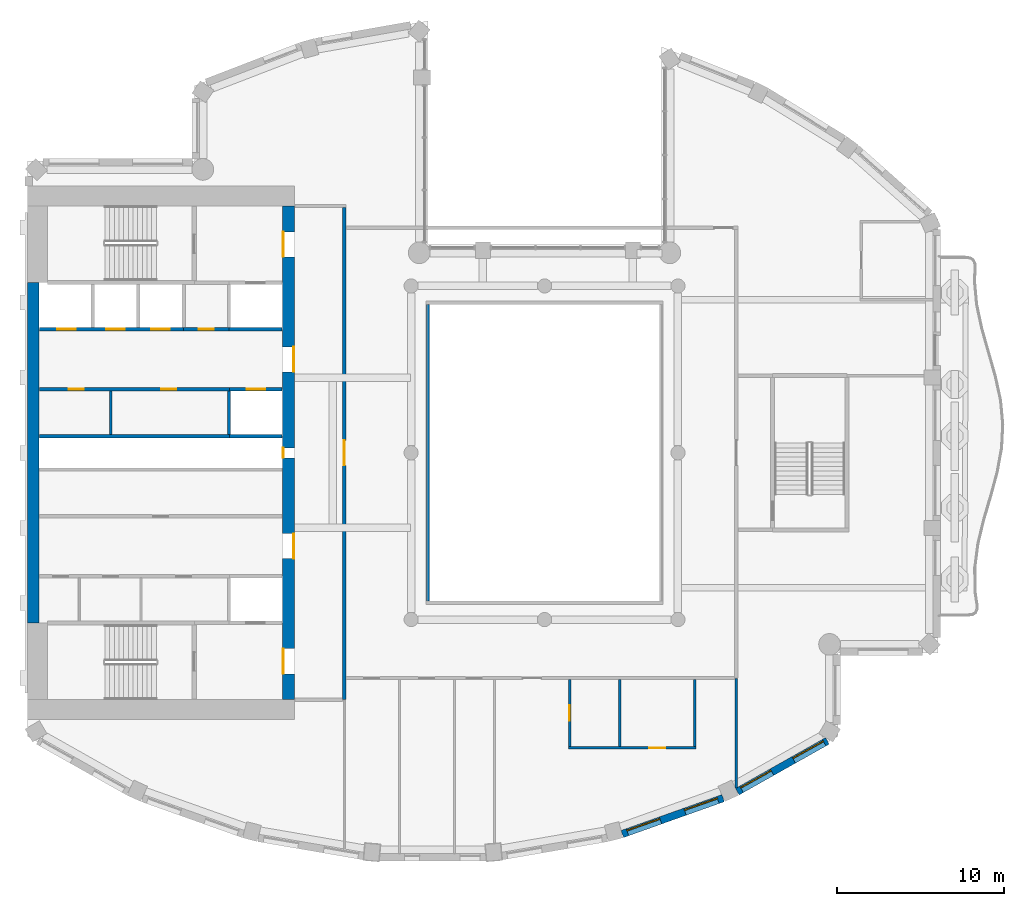
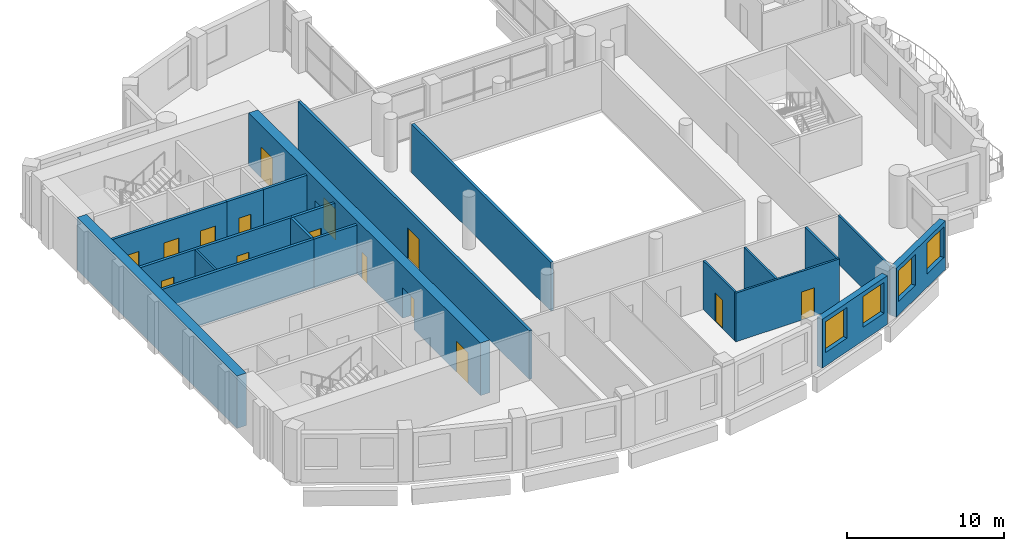
# One storey, part 5 of 14: 20 walls, 15 doors, 4 windows, 19 openings.
"""IFC4 building model written with IfcOpenShell, lengths in metres."""

from ifc_helpers import new_model, si_unit, direction, frame, frame_2d, origin, place, context, subcontext, project, spatial, rectangle, extrude, material, layer, layer_set, type_object, element, fill, save


model = new_model("IFC4")

# Units and contexts
model_context = context("Model", 3, precision=1e-05, world=origin(), true_north=direction((0.0, 1.0)))
body_context = subcontext(model_context, "Body", "Model", "MODEL_VIEW")
ifc_project = project(units=[si_unit("LENGTHUNIT", "METRE"), si_unit("AREAUNIT", "SQUARE_METRE"), si_unit("VOLUMEUNIT", "CUBIC_METRE"), si_unit("PLANEANGLEUNIT", "RADIAN"), si_unit("MASSUNIT", "GRAM", prefix="KILO")], contexts=[model_context])

# Site, building, storey
site_placement = place(None, origin())
site = spatial("IfcSite", under=ifc_project, at=site_placement, CompositionType="ELEMENT")
building_placement = place(site_placement, origin())
building = spatial("IfcBuilding", under=site, at=building_placement, Name="Cypress Arch Tower", CompositionType="ELEMENT")
storey_placement = place(building_placement, frame((0.0, 0.0, 255.699951171875)))
storey = spatial("IfcBuildingStorey", under=building, at=storey_placement, Name="L57", CompositionType="ELEMENT", Elevation=255.699951171875)

# Wall, openings, windows
ifc_material_1 = material(Name="Brick (red buff blend)", Category="masonry")
ifc_layer_1 = layer(ifc_material_1, 0.449951171875)
ifc_layer_set_1 = layer_set([ifc_layer_1], Name="Brick pier and spandrel wall BW450")
wall_type_1 = type_object("IfcWallType", Name="Brick pier and spandrel wall BW450", PredefinedType="SOLIDWALL", material=ifc_layer_set_1)
wall_1_placement = place(storey_placement, frame((5.66455078125, -22.859375, 0.0), z_axis=(0.0, 0.0, 1.0), x_axis=(0.942108340262, 0.335308626803, 0.0)))
wall_1 = element("IfcWall", 1, at=wall_1_placement, inside=storey, type_object=wall_type_1, Name="Brick wall L57 C13.0", PredefinedType="SOLIDWALL", context=body_context, shape_type="SweptSolid", body=[
    extrude(rectangle(XDim=6.41162109375, YDim=0.449951171875, at=frame_2d((3.205810546875, 0.0))), origin(), (0.0, 0.0, 1.0), 3.800048828125),
])
opening_1_placement = place(wall_1_placement, frame((0.3271484375, 0.0, 1.050048828125)))
opening_1 = element("IfcOpeningElement", 2, at=opening_1_placement, cuts=wall_1, Name="Opening W210O", PredefinedType="OPENING", context=body_context, shape_type="SweptSolid", body=[
    extrude(rectangle(XDim=2.10009765625, YDim=2.39990234375, at=frame_2d((1.050048828125, 1.199951171875))), frame((0.0, 0.23486328125, 0.0), z_axis=(0.0, -1.0, 0.0), x_axis=(1.0, 0.0, 0.0)), (0.0, 0.0, 1.0), 0.469970703125),
])
opening_2_placement = place(wall_1_placement, frame((3.984619140625, 0.0, 1.050048828125)))
opening_2 = element("IfcOpeningElement", 3, at=opening_2_placement, cuts=wall_1, Name="Opening W210O", PredefinedType="OPENING", context=body_context, shape_type="SweptSolid", body=[
    extrude(rectangle(XDim=2.10009765625, YDim=2.39990234375, at=frame_2d((1.050048828125, 1.199951171875))), frame((0.0, 0.23486328125, 0.0), z_axis=(0.0, -1.0, 0.0), x_axis=(1.0, 0.0, 0.0)), (0.0, 0.0, 1.0), 0.469970703125),
])
ifc_material_2 = material(Name="Anodised aluminium, bronze finish, clear low-emissivity double glazing", Category="aluminium")
window_type = type_object("IfcWindowType", Name="Window Office 2100x2400", PartitioningType="SINGLE_PANEL", PredefinedType="WINDOW", material=ifc_material_2)
window_1_placement = place(opening_1_placement, origin())
window_1 = element("IfcWindow", 4, at=window_1_placement, inside=storey, type_object=window_type, Name="Window L57 C13.0.1", OverallHeight=2.39990234375, OverallWidth=2.10009765625, PartitioningType="SINGLE_PANEL", PredefinedType="WINDOW", context=body_context, shape_type="SweptSolid", body=[
    extrude(rectangle(XDim=2.10009765625, YDim=2.39990234375, at=frame_2d((1.050048828125, 1.199951171875))), frame((0.0, 0.135009765625, 0.0), z_axis=(0.0, -1.0, 0.0), x_axis=(1.0, 0.0, 0.0)), (0.0, 0.0, 1.0), 0.06005859375),
])
fill(opening_1, window_1)
window_2_placement = place(opening_2_placement, origin())
window_2 = element("IfcWindow", 5, at=window_2_placement, inside=storey, type_object=window_type, Name="Window L57 C13.0.2", OverallHeight=2.39990234375, OverallWidth=2.10009765625, PartitioningType="SINGLE_PANEL", PredefinedType="WINDOW", context=body_context, shape_type="SweptSolid", body=[
    extrude(rectangle(XDim=2.10009765625, YDim=2.39990234375, at=frame_2d((1.050048828125, 1.199951171875))), frame((0.0, 0.135009765625, 0.0), z_axis=(0.0, -1.0, 0.0), x_axis=(1.0, 0.0, 0.0)), (0.0, 0.0, 1.0), 0.06005859375),
])
fill(opening_2, window_2)

wall_2_placement = place(storey_placement, frame((12.55908203125, -20.320068359375, 0.0), z_axis=(0.0, 0.0, 1.0), x_axis=(0.871065783524, 0.491166367714, 0.0)))
wall_2 = element("IfcWall", 6, at=wall_2_placement, inside=storey, type_object=wall_type_1, Name="Brick wall L57 C14.0", PredefinedType="SOLIDWALL", context=body_context, shape_type="SweptSolid", body=[
    extrude(rectangle(XDim=6.1962890625, YDim=0.449951171875, at=frame_2d((3.09814453125, 0.0))), origin(), (0.0, 0.0, 1.0), 3.800048828125),
])
opening_3_placement = place(wall_2_placement, frame((0.29052734375, 0.0, 1.050048828125)))
opening_3 = element("IfcOpeningElement", 7, at=opening_3_placement, cuts=wall_2, Name="Opening W210O", PredefinedType="OPENING", context=body_context, shape_type="SweptSolid", body=[
    extrude(rectangle(XDim=2.10009765625, YDim=2.39990234375, at=frame_2d((1.050048828125, 1.199951171875))), frame((0.0, 0.23486328125, 0.0), z_axis=(0.0, -1.0, 0.0), x_axis=(1.0, 0.0, 0.0)), (0.0, 0.0, 1.0), 0.469970703125),
])
opening_4_placement = place(wall_2_placement, frame((3.875244140625, 0.0, 1.050048828125)))
opening_4 = element("IfcOpeningElement", 8, at=opening_4_placement, cuts=wall_2, Name="Opening W210O", PredefinedType="OPENING", context=body_context, shape_type="SweptSolid", body=[
    extrude(rectangle(XDim=2.10009765625, YDim=2.39990234375, at=frame_2d((1.050048828125, 1.199951171875))), frame((0.0, 0.23486328125, 0.0), z_axis=(0.0, -1.0, 0.0), x_axis=(1.0, 0.0, 0.0)), (0.0, 0.0, 1.0), 0.469970703125),
])
window_3_placement = place(opening_3_placement, origin())
window_3 = element("IfcWindow", 9, at=window_3_placement, inside=storey, type_object=window_type, Name="Window L57 C14.0.1", OverallHeight=2.39990234375, OverallWidth=2.10009765625, PartitioningType="SINGLE_PANEL", PredefinedType="WINDOW", context=body_context, shape_type="SweptSolid", body=[
    extrude(rectangle(XDim=2.10009765625, YDim=2.39990234375, at=frame_2d((1.050048828125, 1.199951171875))), frame((0.0, 0.135009765625, 0.0), z_axis=(0.0, -1.0, 0.0), x_axis=(1.0, 0.0, 0.0)), (0.0, 0.0, 1.0), 0.06005859375),
])
fill(opening_3, window_3)
window_4_placement = place(opening_4_placement, origin())
window_4 = element("IfcWindow", 10, at=window_4_placement, inside=storey, type_object=window_type, Name="Window L57 C14.0.2", OverallHeight=2.39990234375, OverallWidth=2.10009765625, PartitioningType="SINGLE_PANEL", PredefinedType="WINDOW", context=body_context, shape_type="SweptSolid", body=[
    extrude(rectangle(XDim=2.10009765625, YDim=2.39990234375, at=frame_2d((1.050048828125, 1.199951171875))), frame((0.0, 0.135009765625, 0.0), z_axis=(0.0, -1.0, 0.0), x_axis=(1.0, 0.0, 0.0)), (0.0, 0.0, 1.0), 0.06005859375),
])
fill(opening_4, window_4)

# Wall, openings, doors
ifc_material_3 = material(Name="Concrete C60/75", Category="concrete")
ifc_layer_2 = layer(ifc_material_3, 0.699951171875)
ifc_layer_set_2 = layer_set([ifc_layer_2], Name="Core wall CW700 C60/75")
wall_type_2 = type_object("IfcWallType", Name="Core wall CW700 C60/75", PredefinedType="SHEAR", material=ifc_layer_set_2)
wall_3_placement = place(storey_placement, frame((-14.35009765625, -14.800048828125, 0.0), z_axis=(0.0, 0.0, 1.0), x_axis=(0.0, 1.0, 0.0)))
wall_3 = element("IfcWall", 11, at=wall_3_placement, inside=storey, type_object=wall_type_2, Name="Core wall", PredefinedType="SHEAR", context=body_context, shape_type="SweptSolid", body=[
    extrude(rectangle(XDim=29.60009765625, YDim=0.699951171875, at=frame_2d((14.800048828125, 0.0))), origin(), (0.0, 0.0, 1.0), 4.10009765625),
])
opening_5_placement = place(wall_3_placement, frame((1.550048828125, 0.0, 0.0)))
opening_5 = element("IfcOpeningElement", 12, at=opening_5_placement, cuts=wall_3, Name="Opening D07", PredefinedType="OPENING", context=body_context, shape_type="SweptSolid", body=[
    extrude(rectangle(XDim=1.5, YDim=2.39990234375, at=frame_2d((0.75, 1.199951171875))), frame((0.0, 0.35986328125, 0.0), z_axis=(0.0, -1.0, 0.0), x_axis=(1.0, 0.0, 0.0)), (0.0, 0.0, 1.0), 0.719970703125),
])
opening_6_placement = place(wall_3_placement, frame((26.550048828125, 0.0, 0.0)))
opening_6 = element("IfcOpeningElement", 13, at=opening_6_placement, cuts=wall_3, Name="Opening D07", PredefinedType="OPENING", context=body_context, shape_type="SweptSolid", body=[
    extrude(rectangle(XDim=1.5, YDim=2.39990234375, at=frame_2d((0.75, 1.199951171875))), frame((0.0, 0.35986328125, 0.0), z_axis=(0.0, -1.0, 0.0), x_axis=(1.0, 0.0, 0.0)), (0.0, 0.0, 1.0), 0.719970703125),
])
opening_7_placement = place(wall_3_placement, frame((8.449951171875, 0.0, 0.0)))
opening_7 = element("IfcOpeningElement", 14, at=opening_7_placement, cuts=wall_3, Name="Opening D07", PredefinedType="OPENING", context=body_context, shape_type="SweptSolid", body=[
    extrude(rectangle(XDim=1.5, YDim=2.39990234375, at=frame_2d((0.75, 1.199951171875))), frame((0.0, 0.35986328125, 0.0), z_axis=(0.0, -1.0, 0.0), x_axis=(1.0, 0.0, 0.0)), (0.0, 0.0, 1.0), 0.719970703125),
])
opening_8_placement = place(wall_3_placement, frame((19.64990234375, 0.0, 0.0)))
opening_8 = element("IfcOpeningElement", 15, at=opening_8_placement, cuts=wall_3, Name="Opening D07", PredefinedType="OPENING", context=body_context, shape_type="SweptSolid", body=[
    extrude(rectangle(XDim=1.5, YDim=2.39990234375, at=frame_2d((0.75, 1.199951171875))), frame((0.0, 0.35986328125, 0.0), z_axis=(0.0, -1.0, 0.0), x_axis=(1.0, 0.0, 0.0)), (0.0, 0.0, 1.0), 0.719970703125),
])
opening_9_placement = place(wall_3_placement, frame((14.5, 0.0, 0.0)))
opening_9 = element("IfcOpeningElement", 16, at=opening_9_placement, cuts=wall_3, Name="Opening D08", PredefinedType="OPENING", context=body_context, shape_type="SweptSolid", body=[
    extrude(rectangle(XDim=0.60009765625, YDim=2.0, at=frame_2d((0.300048828125, 1.0))), frame((0.0, 0.35986328125, 0.0), z_axis=(0.0, -1.0, 0.0), x_axis=(1.0, 0.0, 0.0)), (0.0, 0.0, 1.0), 0.719970703125),
])
ifc_material_4 = material(Name="Steel framed glazed door, fire resisting", Category="steel")
door_type_1 = type_object("IfcDoorType", Name="Lobby door D07 1500x2400", OperationType="DOUBLE_DOOR_SINGLE_SWING", PredefinedType="DOOR", material=ifc_material_4)
door_1_placement = place(opening_5_placement, origin())
door_1 = element("IfcDoor", 17, at=door_1_placement, inside=storey, type_object=door_type_1, Name="Lobby door", OperationType="DOUBLE_DOOR_SINGLE_SWING", OverallHeight=2.39990234375, OverallWidth=1.5, PredefinedType="DOOR", context=body_context, shape_type="SweptSolid", body=[
    extrude(rectangle(XDim=1.5, YDim=2.39990234375, at=frame_2d((0.75, 1.199951171875))), frame((0.0, 0.34521484375, 0.0), z_axis=(0.0, -1.0, 0.0), x_axis=(1.0, 0.0, 0.0)), (0.0, 0.0, 1.0), 0.050048828125),
])
fill(opening_5, door_1)
door_2_placement = place(opening_6_placement, origin())
door_2 = element("IfcDoor", 18, at=door_2_placement, inside=storey, type_object=door_type_1, Name="Lobby door", OperationType="DOUBLE_DOOR_SINGLE_SWING", OverallHeight=2.39990234375, OverallWidth=1.5, PredefinedType="DOOR", context=body_context, shape_type="SweptSolid", body=[
    extrude(rectangle(XDim=1.5, YDim=2.39990234375, at=frame_2d((0.75, 1.199951171875))), frame((0.0, 0.34521484375, 0.0), z_axis=(0.0, -1.0, 0.0), x_axis=(1.0, 0.0, 0.0)), (0.0, 0.0, 1.0), 0.050048828125),
])
fill(opening_6, door_2)
door_3_placement = place(opening_7_placement, origin())
door_3 = element("IfcDoor", 19, at=door_3_placement, inside=storey, type_object=door_type_1, Name="Lobby door", OperationType="DOUBLE_DOOR_SINGLE_SWING", OverallHeight=2.39990234375, OverallWidth=1.5, PredefinedType="DOOR", context=body_context, shape_type="SweptSolid", body=[
    extrude(rectangle(XDim=1.5, YDim=2.39990234375, at=frame_2d((0.75, 1.199951171875))), frame((0.0, -0.294921875, 0.0), z_axis=(0.0, -1.0, 0.0), x_axis=(1.0, 0.0, 0.0)), (0.0, 0.0, 1.0), 0.050048828125),
])
fill(opening_7, door_3)
door_4_placement = place(opening_8_placement, origin())
door_4 = element("IfcDoor", 20, at=door_4_placement, inside=storey, type_object=door_type_1, Name="Lobby door", OperationType="DOUBLE_DOOR_SINGLE_SWING", OverallHeight=2.39990234375, OverallWidth=1.5, PredefinedType="DOOR", context=body_context, shape_type="SweptSolid", body=[
    extrude(rectangle(XDim=1.5, YDim=2.39990234375, at=frame_2d((0.75, 1.199951171875))), frame((0.0, -0.294921875, 0.0), z_axis=(0.0, -1.0, 0.0), x_axis=(1.0, 0.0, 0.0)), (0.0, 0.0, 1.0), 0.050048828125),
])
fill(opening_8, door_4)
ifc_material_5 = material(Name="Steel access door, fire resisting", Category="steel")
door_type_2 = type_object("IfcDoorType", Name="Riser access door D08 600x2000", OperationType="SINGLE_SWING_LEFT", PredefinedType="DOOR", material=ifc_material_5)
door_5_placement = place(opening_9_placement, origin())
door_5 = element("IfcDoor", 21, at=door_5_placement, inside=storey, type_object=door_type_2, Name="Riser access door", OperationType="SINGLE_SWING_RIGHT", OverallHeight=2.0, OverallWidth=0.60009765625, PredefinedType="DOOR", context=body_context, shape_type="SweptSolid", body=[
    extrude(rectangle(XDim=0.60009765625, YDim=2.0, at=frame_2d((0.300048828125, 1.0))), frame((0.0, 0.34521484375, 0.0), z_axis=(0.0, -1.0, 0.0), x_axis=(1.0, 0.0, 0.0)), (0.0, 0.0, 1.0), 0.050048828125),
])
fill(opening_9, door_5)

# Wall
wall_4_placement = place(storey_placement, frame((-29.64990234375, -10.199951171875, 0.0), z_axis=(0.0, 0.0, 1.0), x_axis=(0.0, 1.0, 0.0)))
element("IfcWall", 22, at=wall_4_placement, inside=storey, type_object=wall_type_2, Name="Core wall", PredefinedType="SHEAR", context=body_context, shape_type="SweptSolid", body=[
    extrude(rectangle(XDim=20.39990234375, YDim=0.699951171875, at=frame_2d((10.199951171875, 0.0))), origin(), (0.0, 0.0, 1.0), 4.10009765625),
])

# Wall, openings, doors
ifc_material_6 = material(Name="Concrete blockwork, plastered, rated", Category="masonry")
ifc_layer_3 = layer(ifc_material_6, 0.199951171875)
ifc_layer_set_3 = layer_set([ifc_layer_3], Name="Corridor wall FW200")
wall_type_3 = type_object("IfcWallType", Name="Corridor wall FW200", PredefinedType="PARTITIONING", material=ifc_layer_set_3)
wall_5_placement = place(storey_placement, frame((-29.27001953125, 3.800048828125, 0.0), z_axis=(0.0, 0.0, 1.0), x_axis=(1.0, 0.0, 0.0)))
wall_5 = element("IfcWall", 23, at=wall_5_placement, inside=storey, type_object=wall_type_3, Name="Corridor wall", PredefinedType="PARTITIONING", context=body_context, shape_type="SweptSolid", body=[
    extrude(rectangle(XDim=11.3701171875, YDim=0.199951171875, at=frame_2d((5.68505859375, 0.0))), origin(), (0.0, 0.0, 1.0), 3.800048828125),
])
opening_10_placement = place(wall_5_placement, frame((1.75, 0.0, 0.0)))
opening_10 = element("IfcOpeningElement", 24, at=opening_10_placement, cuts=wall_5, Name="Opening D05", PredefinedType="OPENING", context=body_context, shape_type="SweptSolid", body=[
    extrude(rectangle(XDim=0.89990234375, YDim=2.199951171875, at=frame_2d((0.449951171875, 1.10009765625))), frame((0.0, 0.10986328125, 0.0), z_axis=(0.0, -1.0, 0.0), x_axis=(1.0, 0.0, 0.0)), (0.0, 0.0, 1.0), 0.219970703125),
])
opening_11_placement = place(wall_5_placement, frame((7.300048828125, 0.0, 0.0)))
opening_11 = element("IfcOpeningElement", 25, at=opening_11_placement, cuts=wall_5, Name="Opening D05", PredefinedType="OPENING", context=body_context, shape_type="SweptSolid", body=[
    extrude(rectangle(XDim=0.89990234375, YDim=2.199951171875, at=frame_2d((0.449951171875, 1.10009765625))), frame((0.0, 0.10986328125, 0.0), z_axis=(0.0, -1.0, 0.0), x_axis=(1.0, 0.0, 0.0)), (0.0, 0.0, 1.0), 0.219970703125),
])
ifc_material_7 = material(Name="Timber flush door", Category="wood")
door_type_3 = type_object("IfcDoorType", Name="Service door D05 900x2200", OperationType="SINGLE_SWING_LEFT", PredefinedType="DOOR", material=ifc_material_7)
door_6_placement = place(opening_10_placement, origin())
door_6 = element("IfcDoor", 26, at=door_6_placement, inside=storey, type_object=door_type_3, Name="Service door", OperationType="SINGLE_SWING_LEFT", OverallHeight=2.199951171875, OverallWidth=0.89990234375, PredefinedType="DOOR", context=body_context, shape_type="SweptSolid", body=[
    extrude(rectangle(XDim=0.89990234375, YDim=2.199951171875, at=frame_2d((0.449951171875, 1.10009765625))), frame((0.0, 0.02490234375, 0.0), z_axis=(0.0, -1.0, 0.0), x_axis=(1.0, 0.0, 0.0)), (0.0, 0.0, 1.0), 0.050048828125),
])
fill(opening_10, door_6)
door_7_placement = place(opening_11_placement, origin())
door_7 = element("IfcDoor", 27, at=door_7_placement, inside=storey, type_object=door_type_3, Name="Service door", OperationType="SINGLE_SWING_RIGHT", OverallHeight=2.199951171875, OverallWidth=0.89990234375, PredefinedType="DOOR", context=body_context, shape_type="SweptSolid", body=[
    extrude(rectangle(XDim=0.89990234375, YDim=2.199951171875, at=frame_2d((0.449951171875, 1.10009765625))), frame((0.0, 0.02490234375, 0.0), z_axis=(0.0, -1.0, 0.0), x_axis=(1.0, 0.0, 0.0)), (0.0, 0.0, 1.0), 0.050048828125),
])
fill(opening_11, door_7)

# Wall, opening, door
wall_6_placement = place(storey_placement, frame((-20.639892578125, 7.39990234375, 0.0), z_axis=(0.0, 0.0, 1.0), x_axis=(1.0, 0.0, 0.0)))
wall_6 = element("IfcWall", 28, at=wall_6_placement, inside=storey, type_object=wall_type_3, Name="Corridor wall", PredefinedType="PARTITIONING", context=body_context, shape_type="SweptSolid", body=[
    extrude(rectangle(XDim=2.719970703125, YDim=0.199951171875, at=frame_2d((1.35986328125, 0.0))), origin(), (0.0, 0.0, 1.0), 3.800048828125),
])
opening_12_placement = place(wall_6_placement, frame((0.89990234375, 0.0, 0.0)))
opening_12 = element("IfcOpeningElement", 29, at=opening_12_placement, cuts=wall_6, Name="Opening D05", PredefinedType="OPENING", context=body_context, shape_type="SweptSolid", body=[
    extrude(rectangle(XDim=0.89990234375, YDim=2.199951171875, at=frame_2d((0.449951171875, 1.10009765625))), frame((0.0, 0.10986328125, 0.0), z_axis=(0.0, -1.0, 0.0), x_axis=(1.0, 0.0, 0.0)), (0.0, 0.0, 1.0), 0.219970703125),
])
door_8_placement = place(opening_12_placement, origin())
door_8 = element("IfcDoor", 30, at=door_8_placement, inside=storey, type_object=door_type_3, Name="Service door", OperationType="SINGLE_SWING_LEFT", OverallHeight=2.199951171875, OverallWidth=0.89990234375, PredefinedType="DOOR", context=body_context, shape_type="SweptSolid", body=[
    extrude(rectangle(XDim=0.89990234375, YDim=2.199951171875, at=frame_2d((0.449951171875, 1.10009765625))), frame((0.0, 0.02490234375, 0.0), z_axis=(0.0, -1.0, 0.0), x_axis=(1.0, 0.0, 0.0)), (0.0, 0.0, 1.0), 0.050048828125),
])
fill(opening_12, door_8)

wall_7_placement = place(storey_placement, frame((-11.0, -14.800048828125, 0.0), z_axis=(0.0, 0.0, 1.0), x_axis=(0.0, 1.0, 0.0)))
wall_7 = element("IfcWall", 31, at=wall_7_placement, inside=storey, type_object=wall_type_3, Name="Corridor wall", PredefinedType="PARTITIONING", context=body_context, shape_type="SweptSolid", body=[
    extrude(rectangle(XDim=29.5, YDim=0.199951171875, at=frame_2d((14.75, 0.0))), origin(), (0.0, 0.0, 1.0), 3.800048828125),
])
opening_13_placement = place(wall_7_placement, frame((14.050048828125, 0.0, 0.0)))
opening_13 = element("IfcOpeningElement", 32, at=opening_13_placement, cuts=wall_7, Name="Opening D07", PredefinedType="OPENING", context=body_context, shape_type="SweptSolid", body=[
    extrude(rectangle(XDim=1.5, YDim=2.39990234375, at=frame_2d((0.75, 1.199951171875))), frame((0.0, 0.10986328125, 0.0), z_axis=(0.0, -1.0, 0.0), x_axis=(1.0, 0.0, 0.0)), (0.0, 0.0, 1.0), 0.219970703125),
])
door_9_placement = place(opening_13_placement, origin())
door_9 = element("IfcDoor", 33, at=door_9_placement, inside=storey, type_object=door_type_1, Name="Lobby door", OperationType="DOUBLE_DOOR_SINGLE_SWING", OverallHeight=2.39990234375, OverallWidth=1.5, PredefinedType="DOOR", context=body_context, shape_type="SweptSolid", body=[
    extrude(rectangle(XDim=1.5, YDim=2.39990234375, at=frame_2d((0.75, 1.199951171875))), frame((0.0, 0.02490234375, 0.0), z_axis=(0.0, -1.0, 0.0), x_axis=(1.0, 0.0, 0.0)), (0.0, 0.0, 1.0), 0.050048828125),
])
fill(opening_13, door_9)

# Walls
wall_8_placement = place(storey_placement, frame((-6.0, -8.89990234375, 0.0), z_axis=(0.0, 0.0, 1.0), x_axis=(0.0, 1.0, 0.0)))
element("IfcWall", 34, at=wall_8_placement, inside=storey, type_object=wall_type_3, Name="Corridor wall", PredefinedType="PARTITIONING", context=body_context, shape_type="SweptSolid", body=[
    extrude(rectangle(XDim=17.7998046875, YDim=0.199951171875, at=frame_2d((8.89990234375, 0.0))), origin(), (0.0, 0.0, 1.0), 3.800048828125),
])
ifc_material_8 = material(Name="Blockwork, plastered both sides", Category="masonry")
ifc_layer_4 = layer(ifc_material_8, 0.14990234375)
ifc_layer_set_4 = layer_set([ifc_layer_4], Name="Partition PW150")
wall_type_4 = type_object("IfcWallType", Name="Partition PW150", PredefinedType="PARTITIONING", material=ifc_layer_set_4)
wall_9_placement = place(storey_placement, frame((-25.0, 1.10009765625, 0.0), z_axis=(0.0, 0.0, 1.0), x_axis=(0.0, 1.0, 0.0)))
element("IfcWall", 35, at=wall_9_placement, inside=storey, type_object=wall_type_4, Name="Partition", PredefinedType="PARTITIONING", context=body_context, shape_type="SweptSolid", body=[
    extrude(rectangle(XDim=2.599853515625, YDim=0.14990234375, at=frame_2d((1.2998046875, 0.0))), origin(), (0.0, 0.0, 1.0), 3.800048828125),
])

# Wall, opening, door
wall_10_placement = place(storey_placement, frame((2.5009765625, -17.625, 0.0), z_axis=(0.0, 0.0, 1.0), x_axis=(0.0, 1.0, 0.0)))
wall_10 = element("IfcWall", 36, at=wall_10_placement, inside=storey, type_object=wall_type_4, Name="Partition", PredefinedType="PARTITIONING", context=body_context, shape_type="SweptSolid", body=[
    extrude(rectangle(XDim=4.02490234375, YDim=0.14990234375, at=frame_2d((2.012451171875, 0.0))), origin(), (0.0, 0.0, 1.0), 3.800048828125),
])
opening_14_placement = place(wall_10_placement, frame((1.550048828125, 0.0, 0.0)))
opening_14 = element("IfcOpeningElement", 37, at=opening_14_placement, cuts=wall_10, Name="Opening D12", PredefinedType="OPENING", context=body_context, shape_type="SweptSolid", body=[
    extrude(rectangle(XDim=0.949951171875, YDim=2.199951171875, at=frame_2d((0.47509765625, 1.10009765625))), frame((0.0, 0.0849609375, 0.0), z_axis=(0.0, -1.0, 0.0), x_axis=(1.0, 0.0, 0.0)), (0.0, 0.0, 1.0), 0.169921875),
])
ifc_material_9 = material(Name="Timber flush door", Category="wood")
door_type_4 = type_object("IfcDoorType", Name="Room door D12 950x2200", OperationType="SINGLE_SWING_LEFT", PredefinedType="DOOR", material=ifc_material_9)
door_10_placement = place(opening_14_placement, origin())
door_10 = element("IfcDoor", 38, at=door_10_placement, inside=storey, type_object=door_type_4, Name="Room door", OperationType="SINGLE_SWING_RIGHT", OverallHeight=2.199951171875, OverallWidth=0.949951171875, PredefinedType="DOOR", context=body_context, shape_type="SweptSolid", body=[
    extrude(rectangle(XDim=0.949951171875, YDim=2.199951171875, at=frame_2d((0.47509765625, 1.10009765625))), frame((0.0, 0.02490234375, 0.0), z_axis=(0.0, -1.0, 0.0), x_axis=(1.0, 0.0, 0.0)), (0.0, 0.0, 1.0), 0.050048828125),
])
fill(opening_14, door_10)

wall_11_placement = place(storey_placement, frame((2.426025390625, -17.699951171875, 0.0), z_axis=(0.0, 0.0, 1.0), x_axis=(1.0, 0.0, 0.0)))
wall_11 = element("IfcWall", 39, at=wall_11_placement, inside=storey, type_object=wall_type_4, Name="Partition", PredefinedType="PARTITIONING", context=body_context, shape_type="SweptSolid", body=[
    extrude(rectangle(XDim=7.64990234375, YDim=0.14990234375, at=frame_2d((3.824951171875, 0.0))), origin(), (0.0, 0.0, 1.0), 3.800048828125),
])
opening_15_placement = place(wall_11_placement, frame((4.85009765625, 0.0, 0.0)))
opening_15 = element("IfcOpeningElement", 40, at=opening_15_placement, cuts=wall_11, Name="Opening D12", PredefinedType="OPENING", context=body_context, shape_type="SweptSolid", body=[
    extrude(rectangle(XDim=0.949951171875, YDim=2.199951171875, at=frame_2d((0.47509765625, 1.10009765625))), frame((0.0, 0.0849609375, 0.0), z_axis=(0.0, -1.0, 0.0), x_axis=(1.0, 0.0, 0.0)), (0.0, 0.0, 1.0), 0.169921875),
])
door_11_placement = place(opening_15_placement, origin())
door_11 = element("IfcDoor", 41, at=door_11_placement, inside=storey, type_object=door_type_4, Name="Room door", OperationType="SINGLE_SWING_LEFT", OverallHeight=2.199951171875, OverallWidth=0.949951171875, PredefinedType="DOOR", context=body_context, shape_type="SweptSolid", body=[
    extrude(rectangle(XDim=0.949951171875, YDim=2.199951171875, at=frame_2d((0.47509765625, 1.10009765625))), frame((0.0, 0.02490234375, 0.0), z_axis=(0.0, -1.0, 0.0), x_axis=(1.0, 0.0, 0.0)), (0.0, 0.0, 1.0), 0.050048828125),
])
fill(opening_15, door_11)

# Walls
for number, where, z_axis, x_axis, name in (
    (42, (5.5009765625, -17.625, 0.0), (0.0, 0.0, 1.0), (0.0, 1.0, 0.0), "Partition"),
    (43, (10.0009765625, -17.625, 0.0), (0.0, 0.0, 1.0), (0.0, 1.0, 0.0), "Partition"),
):
    element("IfcWall", number, at=place(storey_placement, frame(where, z_axis=z_axis, x_axis=x_axis)), inside=storey, type_object=wall_type_4, Name=name, PredefinedType="PARTITIONING", context=body_context, shape_type="SweptSolid", body=[
        extrude(rectangle(XDim=4.02490234375, YDim=0.14990234375, at=frame_2d((2.012451171875, 0.0))), origin(), (0.0, 0.0, 1.0), 3.800048828125),
    ])
wall_12_placement = place(storey_placement, frame((12.5, -20.09521484375, 0.0), z_axis=(0.0, 0.0, 1.0), x_axis=(0.0, 1.0, 0.0)))
element("IfcWall", 44, at=wall_12_placement, inside=storey, type_object=wall_type_4, Name="Partition", PredefinedType="PARTITIONING", context=body_context, shape_type="SweptSolid", body=[
    extrude(rectangle(XDim=6.5751953125, YDim=0.14990234375, at=frame_2d((3.28759765625, 0.0))), origin(), (0.0, 0.0, 1.0), 3.800048828125),
])
ifc_material_10 = material(Name="Reinforced blockwork, plastered, rated", Category="masonry")
ifc_layer_5 = layer(ifc_material_10, 0.199951171875)
ifc_layer_set_5 = layer_set([ifc_layer_5], Name="Plant and riser wall PL200")
wall_type_5 = type_object("IfcWallType", Name="Plant and riser wall PL200", PredefinedType="PARTITIONING", material=ifc_layer_set_5)
wall_13_placement = place(storey_placement, frame((-29.27001953125, 1.0, 0.0), z_axis=(0.0, 0.0, 1.0), x_axis=(1.0, 0.0, 0.0)))
element("IfcWall", 45, at=wall_13_placement, inside=storey, type_object=wall_type_5, Name="Plant and riser wall", PredefinedType="PARTITIONING", context=body_context, shape_type="SweptSolid", body=[
    extrude(rectangle(XDim=11.3701171875, YDim=0.199951171875, at=frame_2d((5.68505859375, 0.0))), origin(), (0.0, 0.0, 1.0), 3.800048828125),
])

# Wall, openings, doors
ifc_material_11 = material(Name="Concrete C50/60", Category="concrete")
ifc_layer_6 = layer(ifc_material_11, 0.199951171875)
ifc_layer_set_6 = layer_set([ifc_layer_6], Name="Shaft wall SH200")
wall_type_6 = type_object("IfcWallType", Name="Shaft wall SH200", PredefinedType="SHEAR", material=ifc_layer_set_6)
wall_14_placement = place(storey_placement, frame((-29.27001953125, 7.39990234375, 0.0), z_axis=(0.0, 0.0, 1.0), x_axis=(1.0, 0.0, 0.0)))
wall_14 = element("IfcWall", 46, at=wall_14_placement, inside=storey, type_object=wall_type_6, Name="Shaft wall", PredefinedType="SHEAR", context=body_context, shape_type="SweptSolid", body=[
    extrude(rectangle(XDim=8.630126953125, YDim=0.199951171875, at=frame_2d((4.31494140625, 0.0))), origin(), (0.0, 0.0, 1.0), 3.800048828125),
])
opening_16_placement = place(wall_14_placement, frame((1.050048828125, 0.0, 0.0)))
opening_16 = element("IfcOpeningElement", 47, at=opening_16_placement, cuts=wall_14, Name="Opening LD-HR5", PredefinedType="OPENING", context=body_context, shape_type="SweptSolid", body=[
    extrude(rectangle(XDim=1.10009765625, YDim=2.199951171875, at=frame_2d((0.550048828125, 1.10009765625))), frame((0.0, 0.10986328125, 0.0), z_axis=(0.0, -1.0, 0.0), x_axis=(1.0, 0.0, 0.0)), (0.0, 0.0, 1.0), 0.219970703125),
])
opening_17_placement = place(wall_14_placement, frame((4.0, 0.0, 0.0)))
opening_17 = element("IfcOpeningElement", 48, at=opening_17_placement, cuts=wall_14, Name="Opening LD-HR6", PredefinedType="OPENING", context=body_context, shape_type="SweptSolid", body=[
    extrude(rectangle(XDim=1.10009765625, YDim=2.199951171875, at=frame_2d((0.550048828125, 1.10009765625))), frame((0.0, 0.10986328125, 0.0), z_axis=(0.0, -1.0, 0.0), x_axis=(1.0, 0.0, 0.0)), (0.0, 0.0, 1.0), 0.219970703125),
])
opening_18_placement = place(wall_14_placement, frame((6.699951171875, 0.0, 0.0)))
opening_18 = element("IfcOpeningElement", 49, at=opening_18_placement, cuts=wall_14, Name="Opening LD-HR7", PredefinedType="OPENING", context=body_context, shape_type="SweptSolid", body=[
    extrude(rectangle(XDim=1.10009765625, YDim=2.199951171875, at=frame_2d((0.550048828125, 1.10009765625))), frame((0.0, 0.10986328125, 0.0), z_axis=(0.0, -1.0, 0.0), x_axis=(1.0, 0.0, 0.0)), (0.0, 0.0, 1.0), 0.219970703125),
])
ifc_material_12 = material(Name="Stainless steel centre-opening landing door, rated", Category="steel")
door_type_5 = type_object("IfcDoorType", Name="Lift landing door LD 1100x2200", OperationType="DOUBLE_DOOR_SLIDING", PredefinedType="DOOR", material=ifc_material_12)
door_12_placement = place(opening_16_placement, origin())
door_12 = element("IfcDoor", 50, at=door_12_placement, inside=storey, type_object=door_type_5, Name="Lift landing doors HR5", OperationType="DOUBLE_DOOR_SLIDING", OverallHeight=2.199951171875, OverallWidth=1.10009765625, PredefinedType="DOOR", context=body_context, shape_type="SweptSolid", body=[
    extrude(rectangle(XDim=1.10009765625, YDim=2.199951171875, at=frame_2d((0.550048828125, 1.10009765625))), frame((0.0, 0.02490234375, 0.0), z_axis=(0.0, -1.0, 0.0), x_axis=(1.0, 0.0, 0.0)), (0.0, 0.0, 1.0), 0.050048828125),
])
fill(opening_16, door_12)
door_13_placement = place(opening_17_placement, origin())
door_13 = element("IfcDoor", 51, at=door_13_placement, inside=storey, type_object=door_type_5, Name="Lift landing doors HR6", OperationType="DOUBLE_DOOR_SLIDING", OverallHeight=2.199951171875, OverallWidth=1.10009765625, PredefinedType="DOOR", context=body_context, shape_type="SweptSolid", body=[
    extrude(rectangle(XDim=1.10009765625, YDim=2.199951171875, at=frame_2d((0.550048828125, 1.10009765625))), frame((0.0, 0.02490234375, 0.0), z_axis=(0.0, -1.0, 0.0), x_axis=(1.0, 0.0, 0.0)), (0.0, 0.0, 1.0), 0.050048828125),
])
fill(opening_17, door_13)
door_14_placement = place(opening_18_placement, origin())
door_14 = element("IfcDoor", 52, at=door_14_placement, inside=storey, type_object=door_type_5, Name="Lift landing doors HR7", OperationType="DOUBLE_DOOR_SLIDING", OverallHeight=2.199951171875, OverallWidth=1.10009765625, PredefinedType="DOOR", context=body_context, shape_type="SweptSolid", body=[
    extrude(rectangle(XDim=1.10009765625, YDim=2.199951171875, at=frame_2d((0.550048828125, 1.10009765625))), frame((0.0, 0.02490234375, 0.0), z_axis=(0.0, -1.0, 0.0), x_axis=(1.0, 0.0, 0.0)), (0.0, 0.0, 1.0), 0.050048828125),
])
fill(opening_18, door_14)

# Walls
wall_15_placement = place(storey_placement, frame((-17.919921875, 1.10009765625, 0.0), z_axis=(0.0, 0.0, 1.0), x_axis=(0.0, 1.0, 0.0)))
element("IfcWall", 53, at=wall_15_placement, inside=storey, type_object=wall_type_6, Name="Shaft wall", PredefinedType="SHEAR", context=body_context, shape_type="SweptSolid", body=[
    extrude(rectangle(XDim=2.599853515625, YDim=0.199951171875, at=frame_2d((1.2998046875, 0.0))), origin(), (0.0, 0.0, 1.0), 3.800048828125),
])
wall_16_placement = place(storey_placement, frame((-17.89990234375, 1.0, 0.0), z_axis=(0.0, 0.0, 1.0), x_axis=(1.0, 0.0, 0.0)))
element("IfcWall", 54, at=wall_16_placement, inside=storey, type_object=wall_type_6, Name="Shaft wall", PredefinedType="SHEAR", context=body_context, shape_type="SweptSolid", body=[
    extrude(rectangle(XDim=3.169921875, YDim=0.199951171875, at=frame_2d((1.5849609375, 0.0))), origin(), (0.0, 0.0, 1.0), 3.800048828125),
])

# Wall, opening, door
wall_17_placement = place(storey_placement, frame((-17.89990234375, 3.800048828125, 0.0), z_axis=(0.0, 0.0, 1.0), x_axis=(1.0, 0.0, 0.0)))
wall_17 = element("IfcWall", 55, at=wall_17_placement, inside=storey, type_object=wall_type_6, Name="Shaft wall", PredefinedType="SHEAR", context=body_context, shape_type="SweptSolid", body=[
    extrude(rectangle(XDim=3.169921875, YDim=0.199951171875, at=frame_2d((1.5849609375, 0.0))), origin(), (0.0, 0.0, 1.0), 3.800048828125),
])
opening_19_placement = place(wall_17_placement, frame((1.050048828125, 0.0, 0.0)))
opening_19 = element("IfcOpeningElement", 56, at=opening_19_placement, cuts=wall_17, Name="Opening LD-HR4", PredefinedType="OPENING", context=body_context, shape_type="SweptSolid", body=[
    extrude(rectangle(XDim=1.10009765625, YDim=2.199951171875, at=frame_2d((0.550048828125, 1.10009765625))), frame((0.0, 0.10986328125, 0.0), z_axis=(0.0, -1.0, 0.0), x_axis=(1.0, 0.0, 0.0)), (0.0, 0.0, 1.0), 0.219970703125),
])
door_15_placement = place(opening_19_placement, origin())
door_15 = element("IfcDoor", 57, at=door_15_placement, inside=storey, type_object=door_type_5, Name="Lift landing doors HR4", OperationType="DOUBLE_DOOR_SLIDING", OverallHeight=2.199951171875, OverallWidth=1.10009765625, PredefinedType="DOOR", context=body_context, shape_type="SweptSolid", body=[
    extrude(rectangle(XDim=1.10009765625, YDim=2.199951171875, at=frame_2d((0.550048828125, 1.10009765625))), frame((0.0, 0.02490234375, 0.0), z_axis=(0.0, -1.0, 0.0), x_axis=(1.0, 0.0, 0.0)), (0.0, 0.0, 1.0), 0.050048828125),
])
fill(opening_19, door_15)

# Wall
wall_18_placement = place(storey_placement, frame((-17.919921875, 7.39990234375, 0.0), z_axis=(0.0, 0.0, 1.0), x_axis=(1.0, 0.0, 0.0)))
element("IfcWall", 58, at=wall_18_placement, inside=storey, type_object=wall_type_6, Name="Shaft wall", PredefinedType="SHEAR", context=body_context, shape_type="SweptSolid", body=[
    extrude(rectangle(XDim=3.18994140625, YDim=0.199951171875, at=frame_2d((1.594970703125, 0.0))), origin(), (0.0, 0.0, 1.0), 3.800048828125),
])

save(model, "model.ifc")
